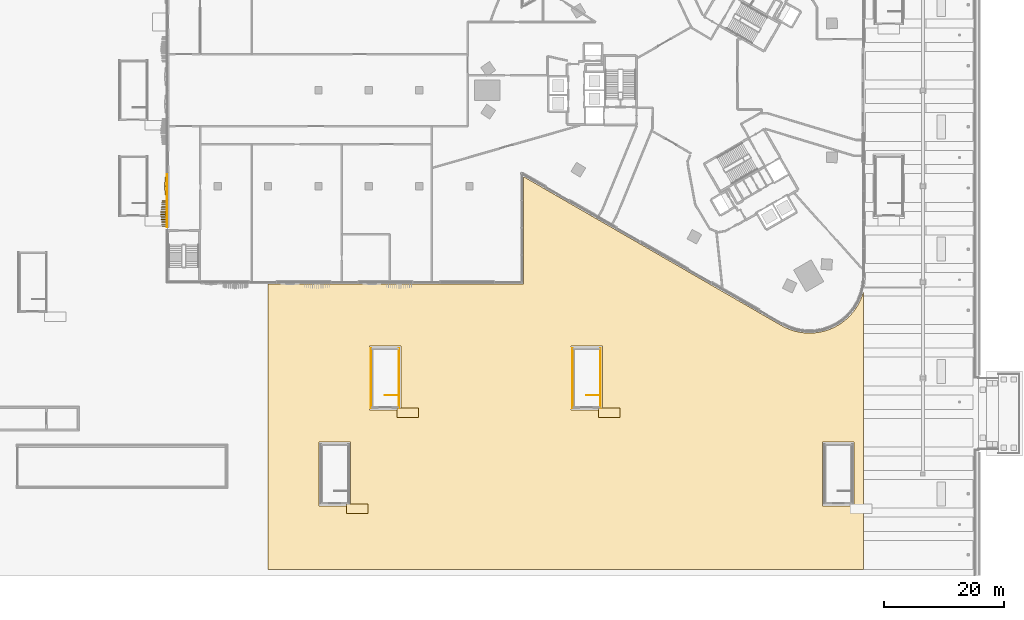
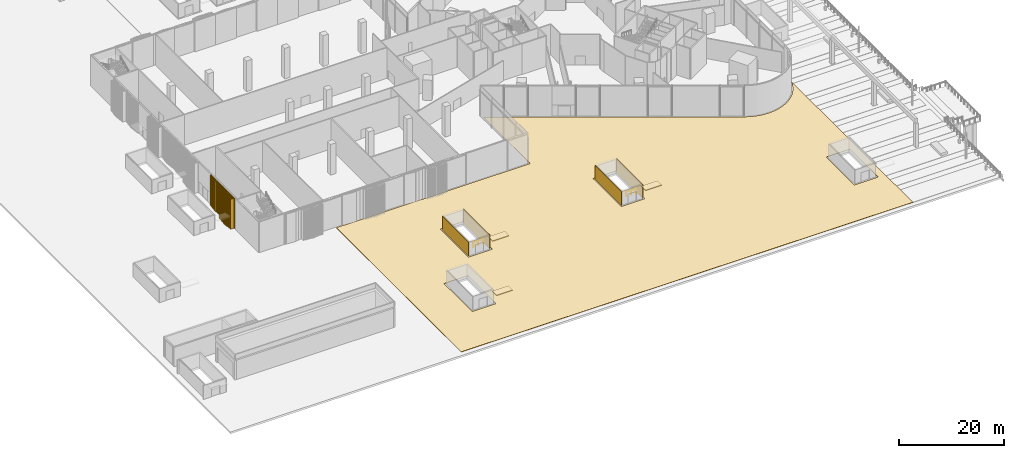
# One storey, part 31 of 41: 11 coverings, 2 railings.
"""IFC4 building model written with IfcOpenShell, lengths in metres."""

from ifc_helpers import new_model, si_unit, direction, frame, frame_2d, origin, origin_2d, place, context, subcontext, project, spatial, polyline, rectangle, circle, outline, extrude, source, transform, mapped, material, layer, layer_set, type_object, element, save


model = new_model("IFC4")

# Units and contexts
model_context = context("Model", 3, precision=1e-05, world=origin(), true_north=direction((0.0, 1.0)))
body_context = subcontext(model_context, "Body", "Model", "MODEL_VIEW")
ifc_project = project(units=[si_unit("LENGTHUNIT", "METRE"), si_unit("AREAUNIT", "SQUARE_METRE"), si_unit("VOLUMEUNIT", "CUBIC_METRE"), si_unit("PLANEANGLEUNIT", "RADIAN"), si_unit("MASSUNIT", "GRAM", prefix="KILO")], contexts=[model_context])

# Site, building, storey
site_placement = place(None, origin())
site = spatial("IfcSite", under=ifc_project, at=site_placement, CompositionType="ELEMENT")
building_placement = place(site_placement, origin())
building = spatial("IfcBuilding", under=site, at=building_placement, Name="Tamra Quay Hotel Tower", CompositionType="ELEMENT")
storey_placement = place(building_placement, origin())
storey = spatial("IfcBuildingStorey", under=building, at=storey_placement, Name="L00", CompositionType="ELEMENT", Elevation=0.0)

# Railings
ifc_material_1 = material(Name="Basement stair guard 1100")
railing_type = type_object("IfcRailingType", Name="Basement stair guard 1100", PredefinedType="GUARDRAIL", material=ifc_material_1)
railing_1_placement = place(storey_placement, frame((-50.699951171875, -50.85009765625, 0.0)))
element("IfcRailing", 1, at=railing_1_placement, inside=storey, type_object=railing_type, Name="BSG", PredefinedType="GUARDRAIL", context=body_context, shape_type="SweptSolid", body=[
    extrude(circle(Radius=0.02392578125, at=origin_2d()), frame((0.0, 0.0, 1.076171875), z_axis=(-1.0, 0.0, 0.0), x_axis=(0.0, -1.0, 0.0)), (0.0, 0.0, 1.0), 2.150146484375),
    extrude(circle(Radius=0.02099609375, at=origin_2d()), origin(), (0.0, 0.0, 1.0), 1.052001953125),
    extrude(circle(Radius=0.02099609375, at=origin_2d()), frame((-1.0751953125, 0.0, 0.0)), (0.0, 0.0, 1.0), 1.052001953125),
    extrude(circle(Radius=0.02099609375, at=origin_2d()), frame((-2.150146484375, 0.0, 0.0)), (0.0, 0.0, 1.0), 1.052001953125),
])
railing_2_placement = place(storey_placement, frame((-17.10009765625, -50.85009765625, 0.0)))
element("IfcRailing", 2, at=railing_2_placement, inside=storey, type_object=railing_type, Name="BSG", PredefinedType="GUARDRAIL", context=body_context, shape_type="SweptSolid", body=[
    extrude(circle(Radius=0.02392578125, at=origin_2d()), frame((0.0, 0.0, 1.076171875), z_axis=(-1.0, 0.0, 0.0), x_axis=(0.0, -1.0, 0.0)), (0.0, 0.0, 1.0), 2.14990234375),
    extrude(circle(Radius=0.02099609375, at=origin_2d()), origin(), (0.0, 0.0, 1.0), 1.052001953125),
    extrude(circle(Radius=0.02099609375, at=origin_2d()), frame((-1.074951171875, 0.0, 0.0)), (0.0, 0.0, 1.0), 1.052001953125),
    extrude(circle(Radius=0.02099609375, at=origin_2d()), frame((-2.14990234375, 0.0, 0.0)), (0.0, 0.0, 1.0), 1.052001953125),
])

# Coverings
ifc_material_2 = material(Name="Reinforced concrete M60 with waterproofing membrane", Category="concrete")
ifc_layer_1 = layer(ifc_material_2, 0.25)
ifc_layer_set_1 = layer_set([ifc_layer_1], Name="PAVILION CANOPY SHEET 250")
covering_type_1 = type_object("IfcCoveringType", Name="PAVILION CANOPY SHEET 250", PredefinedType="ROOFING", material=ifc_layer_set_1)
covering_1_placement = place(storey_placement, frame((0.0, 0.0, 2.75)))
element("IfcCovering", 3, at=covering_1_placement, inside=storey, type_object=covering_type_1, Name="Stair pavilion BS6 door canopy", PredefinedType="ROOFING", context=body_context, shape_type="SweptSolid", body=[
    extrude(outline(polyline([(-59.199951171875, -69.0), (-55.60009765625, -69.0), (-55.60009765625, -70.60009765625), (-59.199951171875, -70.60009765625), (-59.199951171875, -69.0)])), origin(), (0.0, 0.0, 1.0), 0.25),
])
covering_2_placement = place(storey_placement, frame((0.0, 0.0, 2.75)))
element("IfcCovering", 4, at=covering_2_placement, inside=storey, type_object=covering_type_1, Name="Stair pavilion BS8 door canopy", PredefinedType="ROOFING", context=body_context, shape_type="SweptSolid", body=[
    extrude(outline(polyline([(-50.800048828125, -53.0), (-47.199951171875, -53.0), (-47.199951171875, -54.60009765625), (-50.800048828125, -54.60009765625), (-50.800048828125, -53.0)])), origin(), (0.0, 0.0, 1.0), 0.25),
])
covering_3_placement = place(storey_placement, frame((0.0, 0.0, 2.75)))
element("IfcCovering", 5, at=covering_3_placement, inside=storey, type_object=covering_type_1, Name="Stair pavilion BS10 door canopy", PredefinedType="ROOFING", context=body_context, shape_type="SweptSolid", body=[
    extrude(outline(polyline([(-17.199951171875, -53.0), (-13.60009765625, -53.0), (-13.60009765625, -54.60009765625), (-17.199951171875, -54.60009765625), (-17.199951171875, -53.0)])), origin(), (0.0, 0.0, 1.0), 0.25),
])
ifc_material_3 = material(Name="Precast concrete M60 terracotta-coloured pierced relief", Category="masonry")
ifc_layer_2 = layer(ifc_material_3, 0.10009765625)
ifc_layer_set_2 = layer_set([ifc_layer_2], Name="PIERCED RELIEF PANEL 100")
covering_type_2 = type_object("IfcCoveringType", Name="PIERCED RELIEF PANEL 100", PredefinedType="CLADDING", material=ifc_layer_set_2)
covering_4_placement = place(storey_placement, frame((-89.14990234375, -18.28564453125, 0.0), z_axis=(0.0, 0.0, 1.0), x_axis=(0.0, -1.0, 0.0)))
element("IfcCovering", 6, at=covering_4_placement, inside=storey, type_object=covering_type_2, Name="Relief panel L00.W.08", PredefinedType="CLADDING", context=body_context, shape_type="SweptSolid", body=[
    extrude(rectangle(XDim=9.122802734375, YDim=0.10009765625, at=origin_2d()), origin(), (0.0, 0.0, 1.0), 7.10009765625),
])
for number, where, z_axis, x_axis, name in (
    (7, (-55.10009765625, -48.0, 0.0), (0.0, 0.0, 1.0), (0.0, -1.0, 0.0), "Relief panel BS8.W"),
    (8, (-50.449951171875, -48.0, 0.0), (0.0, 0.0, 1.0), (0.0, 1.0, 0.0), "Relief panel BS8.E"),
    (9, (-21.5, -48.0, 0.0), (0.0, 0.0, 1.0), (0.0, -1.0, 0.0), "Relief panel BS10.W"),
    (10, (-16.85009765625, -48.0, 0.0), (0.0, 0.0, 1.0), (0.0, 1.0, 0.0), "Relief panel BS10.E"),
):
    element("IfcCovering", number, at=place(storey_placement, frame(where, z_axis=z_axis, x_axis=x_axis)), inside=storey, type_object=covering_type_2, Name=name, PredefinedType="CLADDING", context=body_context, shape_type="SweptSolid", body=[
        extrude(rectangle(XDim=9.97998046875, YDim=0.10009765625, at=origin_2d()), origin(), (0.0, 0.0, 1.0), 3.199951171875),
    ])
ifc_material_4 = material(Name="Limestone flagstone paving light grey", Category="masonry")
ifc_layer_3 = layer(ifc_material_4, 0.06005859375)
ifc_layer_set_3 = layer_set([ifc_layer_3], Name="PROMENADE PAVING 60")
covering_type_3 = type_object("IfcCoveringType", Name="PROMENADE PAVING 60", PredefinedType="USERDEFINED", material=ifc_layer_set_3)
covering_5_placement = place(storey_placement, origin())
element("IfcCovering", 11, at=covering_5_placement, inside=storey, type_object=covering_type_3, Name="Tamra Quay Promenade paving", ObjectType="PAVING", PredefinedType="USERDEFINED", context=body_context, shape_type="SweptSolid", body=[
    extrude(outline(polyline([(-72.300048828125, -79.89990234375), (27.0, -79.89990234375), (27.0, -33.59765625), (26.82568359375, -34.1728515625), (26.610595703125, -34.74365234375), (26.35888671875, -35.299072265625), (26.071533203125, -35.8369140625), (25.74951171875, -36.35498046875), (25.394287109375, -36.8505859375), (25.00732421875, -37.322021484375), (24.59033203125, -37.767333984375), (24.145263671875, -38.18408203125), (23.673828125, -38.571044921875), (23.177978515625, -38.926513671875), (22.66015625, -39.248291015625), (22.122314453125, -39.535888671875), (21.566650390625, -39.78759765625), (20.995849609375, -40.00244140625), (20.412109375, -40.179443359375), (19.818359375, -40.318115234375), (19.216552734375, -40.41748046875), (18.609619140625, -40.47705078125), (18.0, -40.4970703125), (17.390380859375, -40.47705078125), (16.783447265625, -40.41748046875), (16.181640625, -40.318115234375), (15.587890625, -40.179443359375), (15.004150390625, -40.00244140625), (14.433349609375, -39.78759765625), (13.877685546875, -39.535888671875), (13.344482421875, -39.2509765625), (-29.679931640625, -14.41064453125), (-29.679931640625, -32.320068359375), (-72.300048828125, -32.320068359375), (-72.300048828125, -79.89990234375)]), holes=[polyline([(-58.550048828125, -58.64990234375), (-63.800048828125, -58.64990234375), (-63.800048828125, -69.35009765625), (-58.550048828125, -69.35009765625), (-58.550048828125, -58.64990234375)]), polyline([(-50.14990234375, -42.64990234375), (-55.39990234375, -42.64990234375), (-55.39990234375, -53.35009765625), (-50.14990234375, -53.35009765625), (-50.14990234375, -42.64990234375)]), polyline([(-21.800048828125, -42.64990234375), (-21.800048828125, -53.35009765625), (-16.550048828125, -53.35009765625), (-16.550048828125, -42.64990234375), (-21.800048828125, -42.64990234375)]), polyline([(25.449951171875, -58.64990234375), (20.199951171875, -58.64990234375), (20.199951171875, -69.35009765625), (25.449951171875, -69.35009765625), (25.449951171875, -58.64990234375)])]), origin(), (0.0, 0.0, 1.0), 0.06005859375),
])
ifc_material_5 = material(Name="Terracotta baguette extruded", Category="masonry")
covering_type_4 = type_object("IfcCoveringType", Name="BAGUETTE SCREEN SW-DEEP H7100", PredefinedType="USERDEFINED", material=ifc_material_5)
shared_shape_1 = source(origin(), body_context, "Body", "SweptSolid", [
    extrude(rectangle(XDim=2.2548828125, YDim=0.06005859375, at=frame_2d((1.12744140625, 0.030029296875))), frame((-2.248779296875, -0.0576171875, -0.1201171875), z_axis=(0.0, 0.0, 1.0), x_axis=(0.994521895368, -0.104528463268, 0.0)), (0.0, 0.0, 1.0), 0.1201171875),
    extrude(rectangle(XDim=2.2548828125, YDim=0.06005859375, at=frame_2d((1.12744140625, 0.030029296875))), frame((-2.248779296875, -0.0576171875, -7.10009765625), z_axis=(0.0, 0.0, 1.0), x_axis=(0.994521895368, -0.104528463268, 0.0)), (0.0, 0.0, 1.0), 0.1201171875),
    extrude(rectangle(XDim=0.10009765625, YDim=0.780029296875, at=frame_2d((0.050048828125, 0.39013671875))), frame((-2.15234375, -0.82275390625, -7.0400390625)), (0.0, 0.0, 1.0), 6.97998046875),
    extrude(rectangle(XDim=0.10009765625, YDim=0.780029296875, at=frame_2d((0.050048828125, 0.39013671875))), frame((-1.8720703125, -0.852294921875, -7.0400390625)), (0.0, 0.0, 1.0), 6.97998046875),
    extrude(rectangle(XDim=0.10009765625, YDim=0.780029296875, at=frame_2d((0.050048828125, 0.39013671875))), frame((-1.591796875, -0.881591796875, -7.0400390625)), (0.0, 0.0, 1.0), 6.97998046875),
    extrude(rectangle(XDim=0.10009765625, YDim=0.780029296875, at=frame_2d((0.050048828125, 0.39013671875))), frame((-1.3115234375, -0.9111328125, -7.0400390625)), (0.0, 0.0, 1.0), 6.97998046875),
    extrude(rectangle(XDim=0.10009765625, YDim=0.780029296875, at=frame_2d((0.050048828125, 0.39013671875))), frame((-1.031005859375, -0.940673828125, -7.0400390625)), (0.0, 0.0, 1.0), 6.97998046875),
    extrude(rectangle(XDim=0.10009765625, YDim=0.780029296875, at=frame_2d((0.050048828125, 0.39013671875))), frame((-0.750732421875, -0.969970703125, -7.0400390625)), (0.0, 0.0, 1.0), 6.97998046875),
    extrude(rectangle(XDim=0.10009765625, YDim=0.780029296875, at=frame_2d((0.050048828125, 0.39013671875))), frame((-0.470458984375, -0.99951171875, -7.0400390625)), (0.0, 0.0, 1.0), 6.97998046875),
    extrude(rectangle(XDim=0.10009765625, YDim=0.780029296875, at=frame_2d((0.050048828125, 0.39013671875))), frame((-0.190185546875, -1.029052734375, -7.0400390625)), (0.0, 0.0, 1.0), 6.97998046875),
    extrude(rectangle(XDim=2.2548828125, YDim=0.06005859375, at=frame_2d((1.12744140625, 0.030029296875))), frame((0.00634765625, -0.29345703125, -0.1201171875), z_axis=(0.0, 0.0, 1.0), x_axis=(0.994521895368, 0.104528463268, 0.0)), (0.0, 0.0, 1.0), 0.1201171875),
    extrude(rectangle(XDim=2.2548828125, YDim=0.06005859375, at=frame_2d((1.12744140625, 0.030029296875))), frame((0.00634765625, -0.29345703125, -7.10009765625), z_axis=(0.0, 0.0, 1.0), x_axis=(0.994521895368, 0.104528463268, 0.0)), (0.0, 0.0, 1.0), 0.1201171875),
    extrude(rectangle(XDim=0.10009765625, YDim=0.780029296875, at=frame_2d((0.050048828125, 0.39013671875))), frame((0.090087890625, -1.029052734375, -7.0400390625)), (0.0, 0.0, 1.0), 6.97998046875),
    extrude(rectangle(XDim=0.10009765625, YDim=0.780029296875, at=frame_2d((0.050048828125, 0.39013671875))), frame((0.370361328125, -0.99951171875, -7.0400390625)), (0.0, 0.0, 1.0), 6.97998046875),
    extrude(rectangle(XDim=0.10009765625, YDim=0.780029296875, at=frame_2d((0.050048828125, 0.39013671875))), frame((0.65087890625, -0.969970703125, -7.0400390625)), (0.0, 0.0, 1.0), 6.97998046875),
    extrude(rectangle(XDim=0.10009765625, YDim=0.780029296875, at=frame_2d((0.050048828125, 0.39013671875))), frame((0.93115234375, -0.940673828125, -7.0400390625)), (0.0, 0.0, 1.0), 6.97998046875),
    extrude(rectangle(XDim=0.10009765625, YDim=0.780029296875, at=frame_2d((0.050048828125, 0.39013671875))), frame((1.21142578125, -0.9111328125, -7.0400390625)), (0.0, 0.0, 1.0), 6.97998046875),
    extrude(rectangle(XDim=0.10009765625, YDim=0.780029296875, at=frame_2d((0.050048828125, 0.39013671875))), frame((1.49169921875, -0.881591796875, -7.0400390625)), (0.0, 0.0, 1.0), 6.97998046875),
    extrude(rectangle(XDim=0.10009765625, YDim=0.780029296875, at=frame_2d((0.050048828125, 0.39013671875))), frame((1.77197265625, -0.852294921875, -7.0400390625)), (0.0, 0.0, 1.0), 6.97998046875),
    extrude(rectangle(XDim=0.10009765625, YDim=0.780029296875, at=frame_2d((0.050048828125, 0.39013671875))), frame((2.05224609375, -0.82275390625, -7.0400390625)), (0.0, 0.0, 1.0), 6.97998046875),
])
covering_6_placement = place(storey_placement, frame((-89.199951171875, -20.571533203125, 7.10009765625), z_axis=(0.0, 0.0, 1.0), x_axis=(0.0, -1.0, 0.0)))
element("IfcCovering", 12, at=covering_6_placement, inside=storey, type_object=covering_type_4, Name="Baguette screen wing.L00.W.09", ObjectType="BAGUETTE SCREEN", PredefinedType="USERDEFINED", context=body_context, shape_type="MappedRepresentation", body=[
    mapped(shared_shape_1, transform((0.0, 0.0, 0.0), scale=1.0)),
])
covering_type_5 = type_object("IfcCoveringType", Name="BAGUETTE SCREEN SW-SHALLOW H7100", PredefinedType="USERDEFINED", material=ifc_material_5)
shared_shape_2 = source(origin(), body_context, "Body", "SweptSolid", [
    extrude(rectangle(XDim=2.2548828125, YDim=0.06005859375, at=frame_2d((1.12744140625, 0.030029296875))), frame((-2.248779296875, -0.0576171875, -0.1201171875), z_axis=(0.0, 0.0, 1.0), x_axis=(0.994521895368, -0.104528463268, 0.0)), (0.0, 0.0, 1.0), 0.1201171875),
    extrude(rectangle(XDim=2.2548828125, YDim=0.06005859375, at=frame_2d((1.12744140625, 0.030029296875))), frame((-2.248779296875, -0.0576171875, -7.10009765625), z_axis=(0.0, 0.0, 1.0), x_axis=(0.994521895368, -0.104528463268, 0.0)), (0.0, 0.0, 1.0), 0.1201171875),
    extrude(rectangle(XDim=0.094970703125, YDim=0.10009765625, at=frame_2d((0.04736328125, 0.050048828125))), frame((-2.2412109375, -0.133056640625, -7.0400390625)), (0.0, 0.0, 1.0), 6.97998046875),
    extrude(rectangle(XDim=0.094970703125, YDim=0.10009765625, at=frame_2d((0.04736328125, 0.050048828125))), frame((-2.143798828125, -0.143310546875, -7.0400390625)), (0.0, 0.0, 1.0), 6.97998046875),
    extrude(rectangle(XDim=0.094970703125, YDim=0.10009765625, at=frame_2d((0.04736328125, 0.050048828125))), frame((-2.046142578125, -0.153564453125, -7.0400390625)), (0.0, 0.0, 1.0), 6.97998046875),
    extrude(rectangle(XDim=0.094970703125, YDim=0.10009765625, at=frame_2d((0.04736328125, 0.050048828125))), frame((-1.94873046875, -0.163818359375, -7.0400390625)), (0.0, 0.0, 1.0), 6.97998046875),
    extrude(rectangle(XDim=0.094970703125, YDim=0.10009765625, at=frame_2d((0.04736328125, 0.050048828125))), frame((-1.851318359375, -0.174072265625, -7.0400390625)), (0.0, 0.0, 1.0), 6.97998046875),
    extrude(rectangle(XDim=0.094970703125, YDim=0.10009765625, at=frame_2d((0.04736328125, 0.050048828125))), frame((-1.753662109375, -0.184326171875, -7.0400390625)), (0.0, 0.0, 1.0), 6.97998046875),
    extrude(rectangle(XDim=0.094970703125, YDim=0.10009765625, at=frame_2d((0.04736328125, 0.050048828125))), frame((-1.65625, -0.194580078125, -7.0400390625)), (0.0, 0.0, 1.0), 6.97998046875),
    extrude(rectangle(XDim=0.094970703125, YDim=0.10009765625, at=frame_2d((0.04736328125, 0.050048828125))), frame((-1.558837890625, -0.204833984375, -7.0400390625)), (0.0, 0.0, 1.0), 6.97998046875),
    extrude(rectangle(XDim=0.094970703125, YDim=0.10009765625, at=frame_2d((0.04736328125, 0.050048828125))), frame((-1.461181640625, -0.215087890625, -7.0400390625)), (0.0, 0.0, 1.0), 6.97998046875),
    extrude(rectangle(XDim=0.094970703125, YDim=0.10009765625, at=frame_2d((0.04736328125, 0.050048828125))), frame((-1.36376953125, -0.225341796875, -7.0400390625)), (0.0, 0.0, 1.0), 6.97998046875),
    extrude(rectangle(XDim=0.094970703125, YDim=0.10009765625, at=frame_2d((0.04736328125, 0.050048828125))), frame((-1.266357421875, -0.235595703125, -7.0400390625)), (0.0, 0.0, 1.0), 6.97998046875),
    extrude(rectangle(XDim=0.094970703125, YDim=0.10009765625, at=frame_2d((0.04736328125, 0.050048828125))), frame((-1.168701171875, -0.245849609375, -7.0400390625)), (0.0, 0.0, 1.0), 6.97998046875),
    extrude(rectangle(XDim=0.094970703125, YDim=0.10009765625, at=frame_2d((0.04736328125, 0.050048828125))), frame((-1.0712890625, -0.256103515625, -7.0400390625)), (0.0, 0.0, 1.0), 6.97998046875),
    extrude(rectangle(XDim=0.094970703125, YDim=0.10009765625, at=frame_2d((0.04736328125, 0.050048828125))), frame((-0.9736328125, -0.266357421875, -7.0400390625)), (0.0, 0.0, 1.0), 6.97998046875),
    extrude(rectangle(XDim=0.094970703125, YDim=0.10009765625, at=frame_2d((0.04736328125, 0.050048828125))), frame((-0.876220703125, -0.276611328125, -7.0400390625)), (0.0, 0.0, 1.0), 6.97998046875),
    extrude(rectangle(XDim=0.094970703125, YDim=0.10009765625, at=frame_2d((0.04736328125, 0.050048828125))), frame((-0.77880859375, -0.286865234375, -7.0400390625)), (0.0, 0.0, 1.0), 6.97998046875),
    extrude(rectangle(XDim=0.094970703125, YDim=0.10009765625, at=frame_2d((0.04736328125, 0.050048828125))), frame((-0.68115234375, -0.297119140625, -7.0400390625)), (0.0, 0.0, 1.0), 6.97998046875),
    extrude(rectangle(XDim=0.094970703125, YDim=0.10009765625, at=frame_2d((0.04736328125, 0.050048828125))), frame((-0.583740234375, -0.307373046875, -7.0400390625)), (0.0, 0.0, 1.0), 6.97998046875),
    extrude(rectangle(XDim=0.094970703125, YDim=0.10009765625, at=frame_2d((0.04736328125, 0.050048828125))), frame((-0.486328125, -0.317626953125, -7.0400390625)), (0.0, 0.0, 1.0), 6.97998046875),
    extrude(rectangle(XDim=0.094970703125, YDim=0.10009765625, at=frame_2d((0.04736328125, 0.050048828125))), frame((-0.388671875, -0.327880859375, -7.0400390625)), (0.0, 0.0, 1.0), 6.97998046875),
    extrude(rectangle(XDim=0.094970703125, YDim=0.10009765625, at=frame_2d((0.04736328125, 0.050048828125))), frame((-0.291259765625, -0.338134765625, -7.0400390625)), (0.0, 0.0, 1.0), 6.97998046875),
    extrude(rectangle(XDim=0.094970703125, YDim=0.10009765625, at=frame_2d((0.04736328125, 0.050048828125))), frame((-0.19384765625, -0.348388671875, -7.0400390625)), (0.0, 0.0, 1.0), 6.97998046875),
    extrude(rectangle(XDim=0.094970703125, YDim=0.10009765625, at=frame_2d((0.04736328125, 0.050048828125))), frame((-0.09619140625, -0.358642578125, -7.0400390625)), (0.0, 0.0, 1.0), 6.97998046875),
    extrude(rectangle(XDim=2.2548828125, YDim=0.06005859375, at=frame_2d((1.12744140625, 0.030029296875))), frame((0.00634765625, -0.29345703125, -0.1201171875), z_axis=(0.0, 0.0, 1.0), x_axis=(0.994521895368, 0.104528463268, 0.0)), (0.0, 0.0, 1.0), 0.1201171875),
    extrude(rectangle(XDim=2.2548828125, YDim=0.06005859375, at=frame_2d((1.12744140625, 0.030029296875))), frame((0.00634765625, -0.29345703125, -7.10009765625), z_axis=(0.0, 0.0, 1.0), x_axis=(0.994521895368, 0.104528463268, 0.0)), (0.0, 0.0, 1.0), 0.1201171875),
    extrude(rectangle(XDim=0.094970703125, YDim=0.10009765625, at=frame_2d((0.04736328125, 0.050048828125))), frame((0.001220703125, -0.358642578125, -7.0400390625)), (0.0, 0.0, 1.0), 6.97998046875),
    extrude(rectangle(XDim=0.094970703125, YDim=0.10009765625, at=frame_2d((0.04736328125, 0.050048828125))), frame((0.0986328125, -0.348388671875, -7.0400390625)), (0.0, 0.0, 1.0), 6.97998046875),
    extrude(rectangle(XDim=0.094970703125, YDim=0.10009765625, at=frame_2d((0.04736328125, 0.050048828125))), frame((0.1962890625, -0.338134765625, -7.0400390625)), (0.0, 0.0, 1.0), 6.97998046875),
    extrude(rectangle(XDim=0.094970703125, YDim=0.10009765625, at=frame_2d((0.04736328125, 0.050048828125))), frame((0.293701171875, -0.327880859375, -7.0400390625)), (0.0, 0.0, 1.0), 6.97998046875),
    extrude(rectangle(XDim=0.094970703125, YDim=0.10009765625, at=frame_2d((0.04736328125, 0.050048828125))), frame((0.391357421875, -0.317626953125, -7.0400390625)), (0.0, 0.0, 1.0), 6.97998046875),
    extrude(rectangle(XDim=0.094970703125, YDim=0.10009765625, at=frame_2d((0.04736328125, 0.050048828125))), frame((0.48876953125, -0.307373046875, -7.0400390625)), (0.0, 0.0, 1.0), 6.97998046875),
    extrude(rectangle(XDim=0.094970703125, YDim=0.10009765625, at=frame_2d((0.04736328125, 0.050048828125))), frame((0.586181640625, -0.297119140625, -7.0400390625)), (0.0, 0.0, 1.0), 6.97998046875),
    extrude(rectangle(XDim=0.094970703125, YDim=0.10009765625, at=frame_2d((0.04736328125, 0.050048828125))), frame((0.683837890625, -0.286865234375, -7.0400390625)), (0.0, 0.0, 1.0), 6.97998046875),
    extrude(rectangle(XDim=0.094970703125, YDim=0.10009765625, at=frame_2d((0.04736328125, 0.050048828125))), frame((0.78125, -0.276611328125, -7.0400390625)), (0.0, 0.0, 1.0), 6.97998046875),
    extrude(rectangle(XDim=0.094970703125, YDim=0.10009765625, at=frame_2d((0.04736328125, 0.050048828125))), frame((0.878662109375, -0.266357421875, -7.0400390625)), (0.0, 0.0, 1.0), 6.97998046875),
    extrude(rectangle(XDim=0.094970703125, YDim=0.10009765625, at=frame_2d((0.04736328125, 0.050048828125))), frame((0.976318359375, -0.256103515625, -7.0400390625)), (0.0, 0.0, 1.0), 6.97998046875),
    extrude(rectangle(XDim=0.094970703125, YDim=0.10009765625, at=frame_2d((0.04736328125, 0.050048828125))), frame((1.07373046875, -0.245849609375, -7.0400390625)), (0.0, 0.0, 1.0), 6.97998046875),
    extrude(rectangle(XDim=0.094970703125, YDim=0.10009765625, at=frame_2d((0.04736328125, 0.050048828125))), frame((1.171142578125, -0.235595703125, -7.0400390625)), (0.0, 0.0, 1.0), 6.97998046875),
    extrude(rectangle(XDim=0.094970703125, YDim=0.10009765625, at=frame_2d((0.04736328125, 0.050048828125))), frame((1.268798828125, -0.225341796875, -7.0400390625)), (0.0, 0.0, 1.0), 6.97998046875),
    extrude(rectangle(XDim=0.094970703125, YDim=0.10009765625, at=frame_2d((0.04736328125, 0.050048828125))), frame((1.3662109375, -0.215087890625, -7.0400390625)), (0.0, 0.0, 1.0), 6.97998046875),
    extrude(rectangle(XDim=0.094970703125, YDim=0.10009765625, at=frame_2d((0.04736328125, 0.050048828125))), frame((1.4638671875, -0.204833984375, -7.0400390625)), (0.0, 0.0, 1.0), 6.97998046875),
    extrude(rectangle(XDim=0.094970703125, YDim=0.10009765625, at=frame_2d((0.04736328125, 0.050048828125))), frame((1.561279296875, -0.194580078125, -7.0400390625)), (0.0, 0.0, 1.0), 6.97998046875),
    extrude(rectangle(XDim=0.094970703125, YDim=0.10009765625, at=frame_2d((0.04736328125, 0.050048828125))), frame((1.65869140625, -0.184326171875, -7.0400390625)), (0.0, 0.0, 1.0), 6.97998046875),
    extrude(rectangle(XDim=0.094970703125, YDim=0.10009765625, at=frame_2d((0.04736328125, 0.050048828125))), frame((1.75634765625, -0.174072265625, -7.0400390625)), (0.0, 0.0, 1.0), 6.97998046875),
    extrude(rectangle(XDim=0.094970703125, YDim=0.10009765625, at=frame_2d((0.04736328125, 0.050048828125))), frame((1.853759765625, -0.163818359375, -7.0400390625)), (0.0, 0.0, 1.0), 6.97998046875),
    extrude(rectangle(XDim=0.094970703125, YDim=0.10009765625, at=frame_2d((0.04736328125, 0.050048828125))), frame((1.951171875, -0.153564453125, -7.0400390625)), (0.0, 0.0, 1.0), 6.97998046875),
    extrude(rectangle(XDim=0.094970703125, YDim=0.10009765625, at=frame_2d((0.04736328125, 0.050048828125))), frame((2.048828125, -0.143310546875, -7.0400390625)), (0.0, 0.0, 1.0), 6.97998046875),
    extrude(rectangle(XDim=0.094970703125, YDim=0.10009765625, at=frame_2d((0.04736328125, 0.050048828125))), frame((2.146240234375, -0.133056640625, -7.0400390625)), (0.0, 0.0, 1.0), 6.97998046875),
])
covering_7_placement = place(storey_placement, frame((-89.199951171875, -16.0, 7.10009765625), z_axis=(0.0, 0.0, 1.0), x_axis=(0.0, -1.0, 0.0)))
element("IfcCovering", 13, at=covering_7_placement, inside=storey, type_object=covering_type_5, Name="Baguette screen wing.L00.W.08", ObjectType="BAGUETTE SCREEN", PredefinedType="USERDEFINED", context=body_context, shape_type="MappedRepresentation", body=[
    mapped(shared_shape_2, transform((0.0, 0.0, 0.0), scale=1.0)),
])

save(model, "model.ifc")
